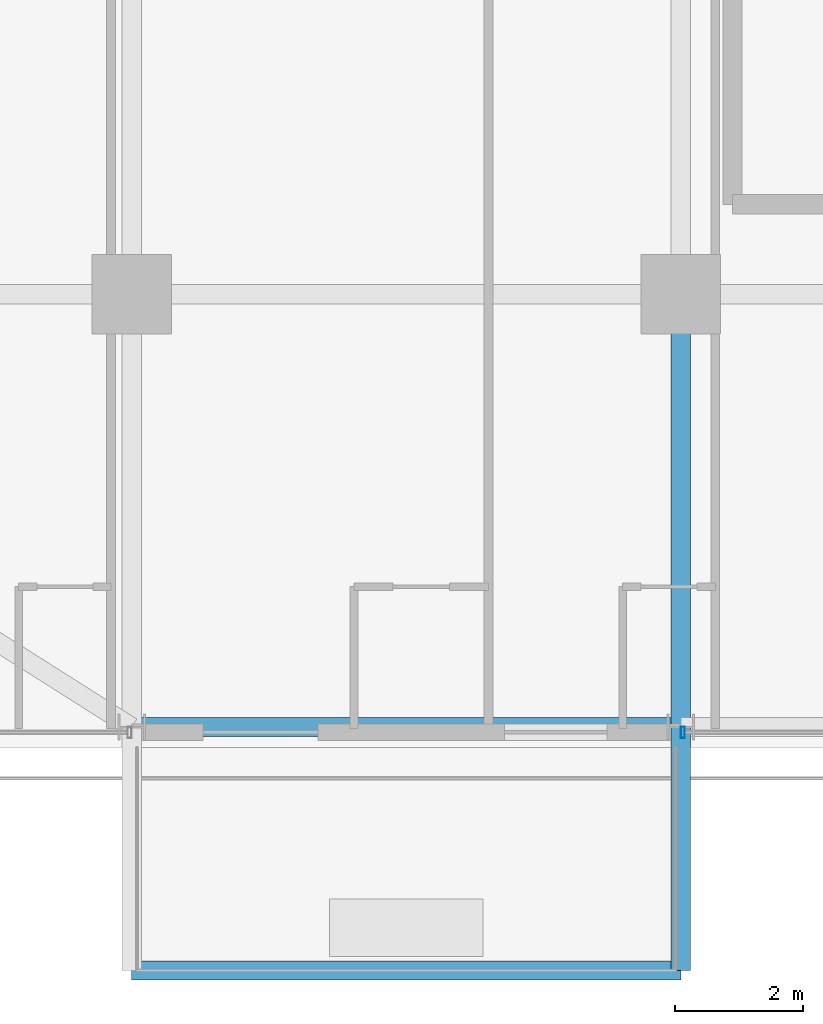
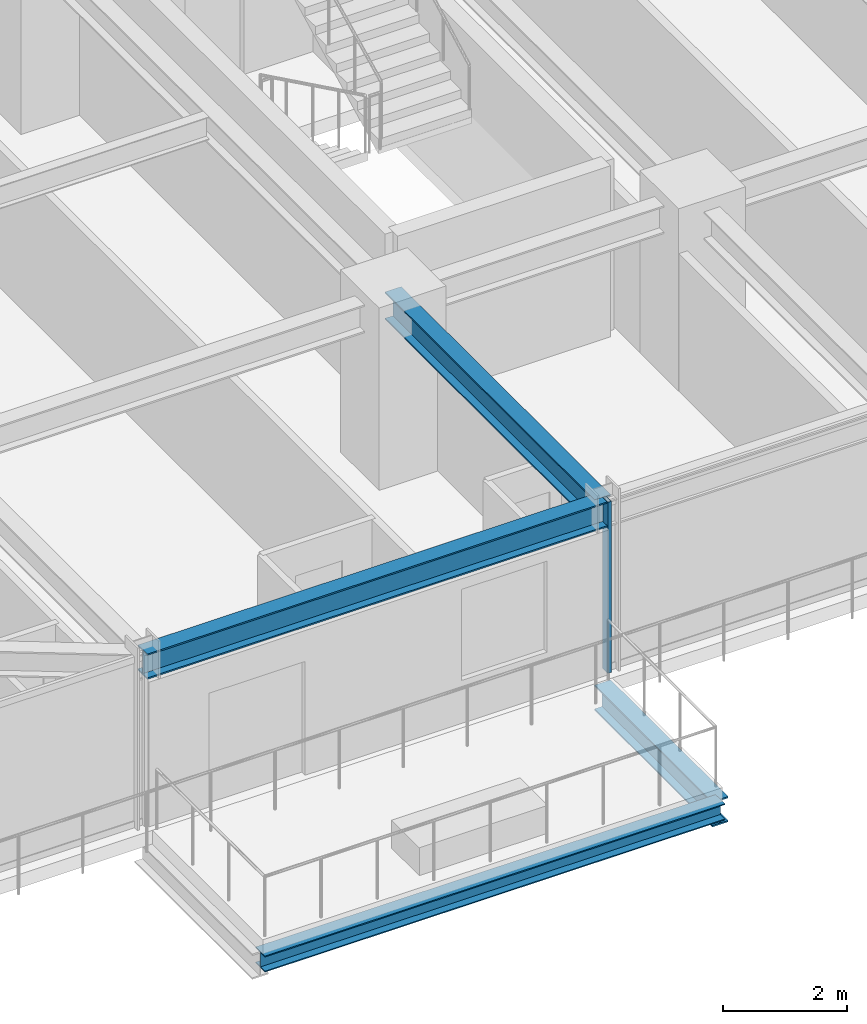
# One storey, part 3 of 34: 4 beams, 1 member, 1 element without a shape of its own.
"""IFC4 building model written with IfcOpenShell, lengths in metres."""

from ifc_helpers import new_model, si_unit, direction, frame, origin, origin_2d, place, context, subcontext, project, spatial, hollow_rectangle, i_section, extrude, source, transform, mapped, material, material_profile, profile_set, type_object, element, aggregate, save


model = new_model("IFC4")

# Units and contexts
model_context = context("Model", 3, precision=1e-05, world=origin(), true_north=direction((0.0, 1.0)))
body_context = subcontext(model_context, "Body", "Model", "MODEL_VIEW")
ifc_project = project(units=[si_unit("LENGTHUNIT", "METRE"), si_unit("AREAUNIT", "SQUARE_METRE"), si_unit("VOLUMEUNIT", "CUBIC_METRE"), si_unit("PLANEANGLEUNIT", "RADIAN"), si_unit("MASSUNIT", "GRAM", prefix="KILO")], contexts=[model_context])

# Site, building, storey
site_placement = place(None, origin())
site = spatial("IfcSite", under=ifc_project, at=site_placement, CompositionType="ELEMENT")
building_placement = place(site_placement, origin())
building = spatial("IfcBuilding", under=site, at=building_placement, Name="Nahalor Promenade Grand Hotel", CompositionType="ELEMENT")
storey_placement = place(building_placement, frame((0.0, 0.0, 88.300048828125)))
storey = spatial("IfcBuildingStorey", under=building, at=storey_placement, Name="L21", CompositionType="ELEMENT", Elevation=88.300048828125)

# Beams
ifc_material_1 = material(Name="Steel S355JR", Category="steel")
ifc_material_profile_1 = material_profile(ifc_material_1, i_section(OverallWidth=0.3, OverallDepth=0.32, WebThickness=0.0115, FlangeThickness=0.0205, at=origin_2d()), Name="HEB 320")
ifc_profile_set_1 = profile_set([ifc_material_profile_1], Name="Steel S355JR")
beam_type_1 = type_object("IfcBeamType", Name="Beam-BalcEdge-HEB320", PredefinedType="SPANDREL", material=ifc_profile_set_1)
shared_shape_1 = source(origin(), body_context, "Body", "SweptSolid", [
    extrude(i_section(OverallWidth=0.3, OverallDepth=0.32, WebThickness=0.0115, FlangeThickness=0.0205, at=origin_2d()), origin(), (0.0, 0.0, 1.0), 8.60009765625),
])
beam_1_placement = place(storey_placement, frame((-17.0, -27.590087890625, -0.43994140625), z_axis=(1.0, 0.0, 0.0), x_axis=(0.0, 1.0, 0.0)))
element("IfcBeam", 1, at=beam_1_placement, inside=storey, type_object=beam_type_1, Name="BM-L21-BC-01-F", PredefinedType="SPANDREL", context=body_context, shape_type="MappedRepresentation", body=[
    mapped(shared_shape_1, transform((0.0, 0.0, 0.0), scale=1.0)),
])
ifc_material_profile_2 = material_profile(ifc_material_1, i_section(OverallWidth=0.3, OverallDepth=0.5, WebThickness=0.0145, FlangeThickness=0.028, at=origin_2d()), Name="HEB 500")
ifc_profile_set_2 = profile_set([ifc_material_profile_2], Name="Steel S355JR")
beam_type_2 = type_object("IfcBeamType", Name="Beam-Outrigger-HEB500", PredefinedType="BEAM", material=ifc_profile_set_2)
shared_shape_2 = source(origin(), body_context, "Body", "SweptSolid", [
    extrude(i_section(OverallWidth=0.3, OverallDepth=0.5, WebThickness=0.0145, FlangeThickness=0.028, at=origin_2d()), origin(), (0.0, 0.0, 1.0), 3.81005859375),
])
beam_2_placement = place(storey_placement, frame((-8.39990234375, -27.590087890625, -0.530029296875), z_axis=(0.0, 1.0, 0.0), x_axis=(-1.0, 0.0, 0.0)))
element("IfcBeam", 2, at=beam_2_placement, inside=storey, type_object=beam_type_2, Name="BM-L21-BC-01-2", PredefinedType="BEAM", context=body_context, shape_type="MappedRepresentation", body=[
    mapped(shared_shape_2, transform((0.0, 0.0, 0.0), scale=1.0)),
])
ifc_material_profile_3 = material_profile(ifc_material_1, i_section(OverallWidth=0.3, OverallDepth=0.5, WebThickness=0.0145, FlangeThickness=0.028, at=origin_2d()), Name="HEB 500")
ifc_profile_set_3 = profile_set([ifc_material_profile_3], Name="Steel S355JR")
beam_type_3 = type_object("IfcBeamType", Name="Beam-Spandrel-HEB500", PredefinedType="SPANDREL", material=ifc_profile_set_3)
shared_shape_3 = source(origin(), body_context, "Body", "SweptSolid", [
    extrude(i_section(OverallWidth=0.3, OverallDepth=0.5, WebThickness=0.0145, FlangeThickness=0.028, at=origin_2d()), origin(), (0.0, 0.0, 1.0), 8.60009765625),
])
beam_3_placement = place(storey_placement, frame((-17.0, -23.780029296875, 3.1298828125), z_axis=(1.0, 0.0, 0.0), x_axis=(0.0, 1.0, 0.0)))
element("IfcBeam", 3, at=beam_3_placement, inside=storey, type_object=beam_type_3, Name="BM-L21-SP-S-0", PredefinedType="SPANDREL", context=body_context, shape_type="MappedRepresentation", body=[
    mapped(shared_shape_3, transform((0.0, 0.0, 0.0), scale=1.0)),
])
ifc_material_profile_4 = material_profile(ifc_material_1, i_section(OverallWidth=0.3, OverallDepth=0.55, WebThickness=0.015, FlangeThickness=0.029, at=origin_2d()), Name="HEB 550")
ifc_profile_set_4 = profile_set([ifc_material_profile_4], Name="Steel S355JR")
beam_type_4 = type_object("IfcBeamType", Name="Beam-Girder-HEB550", PredefinedType="BEAM", material=ifc_profile_set_4)
shared_shape_4 = source(origin(), body_context, "Body", "SweptSolid", [
    extrude(i_section(OverallWidth=0.3, OverallDepth=0.55, WebThickness=0.015, FlangeThickness=0.029, at=origin_2d()), origin(), (0.0, 0.0, 1.0), 6.780029296875),
])
beam_4_placement = place(storey_placement, frame((-8.39990234375, -23.780029296875, 3.10498046875), z_axis=(0.0, 1.0, 0.0), x_axis=(-1.0, 0.0, 0.0)))
element("IfcBeam", 4, at=beam_4_placement, inside=storey, type_object=beam_type_4, Name="BM-L21-GY-1-0", PredefinedType="BEAM", context=body_context, shape_type="MappedRepresentation", body=[
    mapped(shared_shape_4, transform((0.0, 0.0, 0.0), scale=1.0)),
])

# Curtain wall, member
ifc_material_2 = material(Name="Anodised Bronze Aluminium EN AW-6063 T6", Category="aluminium")
curtain_wall_type = type_object("IfcCurtainWallType", Name="CW2 Typical Hotel Flush Bronze Unitised Curtain Wall", PredefinedType="USERDEFINED", material=ifc_material_2)
curtain_wall_placement = place(storey_placement, origin())
curtain_wall = element("IfcCurtainWall", 5, at=curtain_wall_placement, inside=storey, type_object=curtain_wall_type, Name="L21 Curtain Wall CW-L21-S-3", ObjectType="UNITISED_CURTAIN_WALL", PredefinedType="USERDEFINED")
ifc_material_profile_5 = material_profile(ifc_material_2, hollow_rectangle(XDim=0.065, YDim=0.18, WallThickness=0.004, at=origin_2d()), Name="CWM 65x180x4")
ifc_profile_set_5 = profile_set([ifc_material_profile_5], Name="Anodised Bronze Aluminium EN AW-6063 T6")
member_type = type_object("IfcMemberType", Name="CWM2 Typical Bronze Mullion 65x180", PredefinedType="MULLION", material=ifc_profile_set_5)
shared_shape_5 = source(origin(), body_context, "Body", "SweptSolid", [
    extrude(hollow_rectangle(XDim=0.065, YDim=0.18, WallThickness=0.004, at=origin_2d()), origin(), (0.0, 0.0, 1.0), 3.3798828125),
])
member_placement = place(storey_placement, frame((-8.367431640625, -23.860107421875, 0.0), z_axis=(0.0, 0.0, 1.0), x_axis=(1.0, 0.0, 0.0)))
member = element("IfcMember", 6, at=member_placement, type_object=member_type, Name="CW-L21-S-3 Mullion 0", PredefinedType="MULLION", context=body_context, shape_type="MappedRepresentation", body=[
    mapped(shared_shape_5, transform((0.0, 0.0, 0.0), scale=1.0)),
])
aggregate(curtain_wall, [member])

save(model, "model.ifc")
